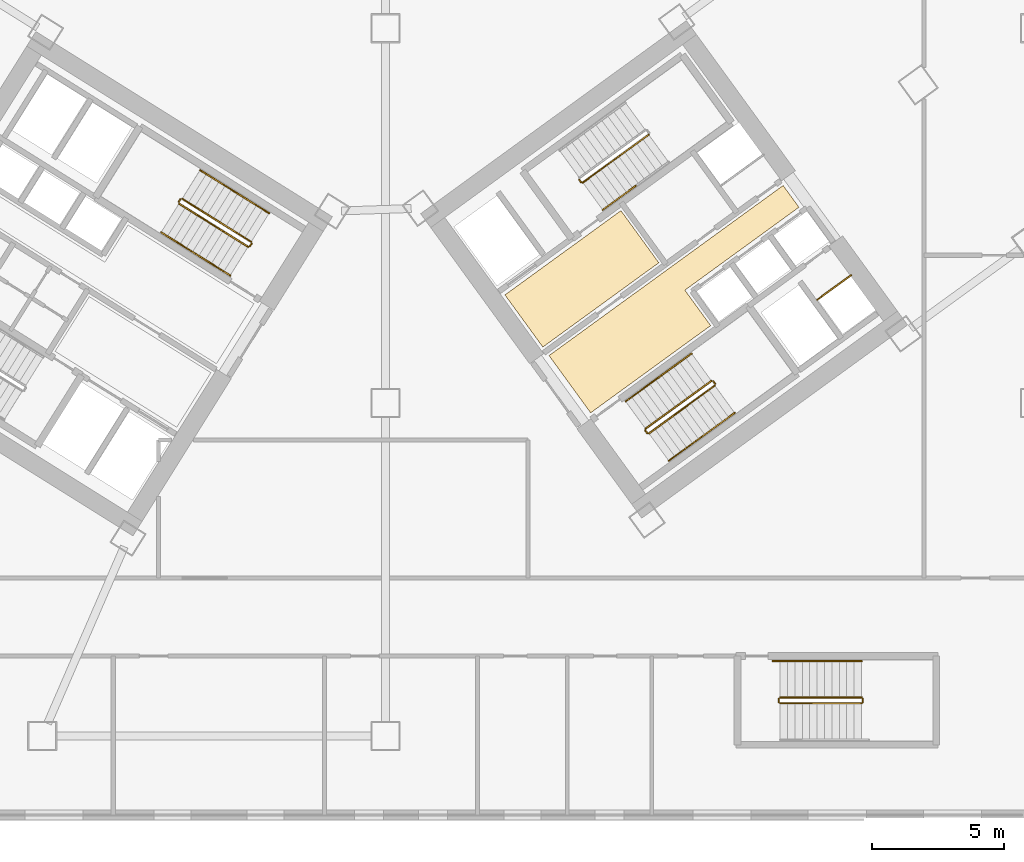
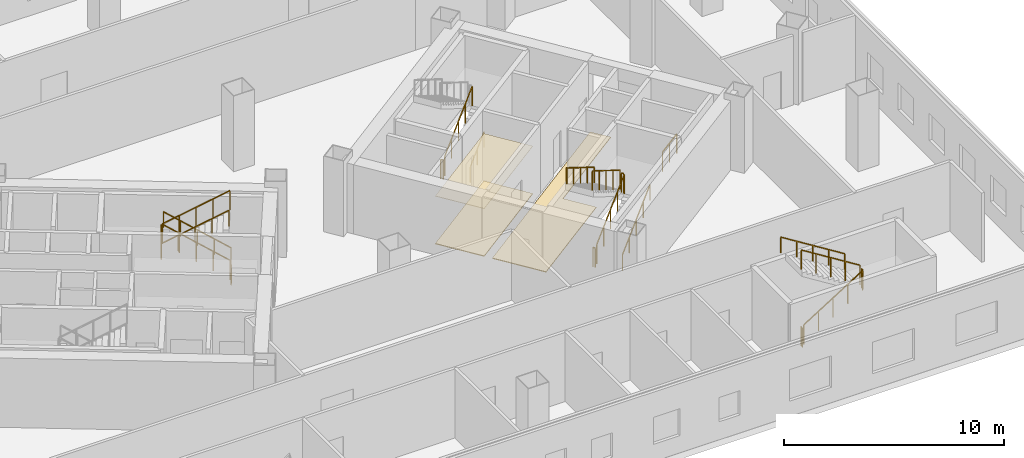
# One storey, part 20 of 22: 25 railings, 3 coverings.
"""IFC4 building model written with IfcOpenShell, lengths in metres."""

from ifc_helpers import new_model, si_unit, direction, frame, origin, origin_2d, place, context, subcontext, project, spatial, polyline, rectangle, outline, extrude, source, transform, mapped, material, layer, layer_set, type_object, element, save


model = new_model("IFC4")

# Units and contexts
model_context = context("Model", 3, precision=1e-05, world=origin(), true_north=direction((0.0, 1.0)))
body_context = subcontext(model_context, "Body", "Model", "MODEL_VIEW")
ifc_project = project(units=[si_unit("LENGTHUNIT", "METRE"), si_unit("AREAUNIT", "SQUARE_METRE"), si_unit("VOLUMEUNIT", "CUBIC_METRE"), si_unit("PLANEANGLEUNIT", "RADIAN"), si_unit("MASSUNIT", "GRAM", prefix="KILO")], contexts=[model_context])

# Site, building, storey
site_placement = place(None, origin())
site = spatial("IfcSite", under=ifc_project, at=site_placement, CompositionType="ELEMENT")
building_placement = place(site_placement, origin())
building = spatial("IfcBuilding", under=site, at=building_placement, Name="Tlacorven Tower", CompositionType="ELEMENT")
storey_placement = place(building_placement, frame((0.0, 0.0, 14.39990234375)))
storey = spatial("IfcBuildingStorey", under=building, at=storey_placement, Name="L03", CompositionType="ELEMENT", Elevation=14.39990234375)

# Coverings
ifc_material_1 = material(Name="Acoustic mineral-fibre ceiling")
ifc_layer_1 = layer(ifc_material_1, 0.02490234375)
ifc_layer_set_1 = layer_set([ifc_layer_1], Name="Acoustic mineral-fibre ceiling")
covering_type_1 = type_object("IfcCoveringType", Name="CV-CLG-ACST", PredefinedType="CEILING", material=ifc_layer_set_1)
covering_1_placement = place(storey_placement, frame((0.0, 0.0, 2.650146484375)))
element("IfcCovering", 1, at=covering_1_placement, inside=storey, type_object=covering_type_1, Name="L03 Acoustic Suspended Ceiling 3", PredefinedType="CEILING", context=body_context, shape_type="SweptSolid", body=[
    extrude(outline(polyline([(48.760498046875, 19.326171875), (47.326171875, 21.300048828125), (51.71923828125, 24.49169921875), (53.1533203125, 22.517822265625), (48.760498046875, 19.326171875)])), origin(), (0.0, 0.0, 1.0), 0.02490234375),
])
ifc_material_2 = material(Name="Terrazzo and ceramic flooring")
ifc_layer_2 = layer(ifc_material_2, 0.0400390625)
ifc_layer_set_2 = layer_set([ifc_layer_2], Name="Terrazzo and ceramic flooring")
covering_type_2 = type_object("IfcCoveringType", Name="CV-FLR-TERZ", PredefinedType="FLOORING", material=ifc_layer_set_2)
covering_2_placement = place(storey_placement, origin())
element("IfcCovering", 2, at=covering_2_placement, inside=storey, type_object=covering_type_2, Name="L03 Terrazzo Floor Finish 3", PredefinedType="FLOORING", context=body_context, shape_type="SweptSolid", body=[
    extrude(outline(polyline([(48.760498046875, 19.326171875), (47.326171875, 21.300048828125), (51.71923828125, 24.49169921875), (53.1533203125, 22.517822265625), (48.760498046875, 19.326171875)])), origin(), (0.0, 0.0, 1.0), 0.0400390625),
])
covering_3_placement = place(storey_placement, origin())
element("IfcCovering", 3, at=covering_3_placement, inside=storey, type_object=covering_type_2, Name="L03 Terrazzo Floor Finish 4", PredefinedType="FLOORING", context=body_context, shape_type="SweptSolid", body=[
    extrude(outline(polyline([(50.57080078125, 16.834228515625), (48.99560546875, 19.00244140625), (57.8623046875, 25.444580078125), (58.4619140625, 24.619384765625), (54.141845703125, 21.480712890625), (55.117431640625, 20.1376953125), (50.57080078125, 16.834228515625)])), origin(), (0.0, 0.0, 1.0), 0.0400390625),
])

# Railings
ifc_material_3 = material(Name="Aluminium and painted steel balustrade", Category="steel")
railing_type_1 = type_object("IfcRailingType", Name="RL-GRD-1100", PredefinedType="GUARDRAIL", material=ifc_material_3)
shared_shape_1 = source(origin(), body_context, "Body", "SweptSolid", [
    extrude(rectangle(XDim=0.048095703125, YDim=0.048095703125, at=origin_2d()), frame((0.0, 0.0, 1.076171875), z_axis=(0.809029975545, 0.58776738483, 0.0), x_axis=(-0.58776738483, 0.809029975545, 0.0)), (0.0, 0.0, 1.0), 1.580078125),
    extrude(rectangle(XDim=0.0419921875, YDim=0.0419921875, at=origin_2d()), origin(), (0.0, 0.0, 1.0), 1.052001953125),
    extrude(rectangle(XDim=0.0419921875, YDim=0.0419921875, at=origin_2d()), frame((0.63916015625, 0.46435546875, 0.0)), (0.0, 0.0, 1.0), 1.052001953125),
    extrude(rectangle(XDim=0.0419921875, YDim=0.0419921875, at=origin_2d()), frame((1.2783203125, 0.9287109375, 0.0)), (0.0, 0.0, 1.0), 1.052001953125),
])
railing_1_placement = place(storey_placement, frame((59.160888671875, 21.122314453125, 0.0)))
element("IfcRailing", 4, at=railing_1_placement, inside=storey, type_object=railing_type_1, Name="L03 Smoke Riser E Shaft Guard 1", PredefinedType="GUARDRAIL", context=body_context, shape_type="MappedRepresentation", body=[
    mapped(shared_shape_1, transform((0.0, 0.0, 0.0), scale=1.0)),
])
shared_shape_2 = source(origin(), body_context, "Body", "SweptSolid", [
    extrude(rectangle(XDim=0.048095703125, YDim=0.048095703125, at=origin_2d()), frame((0.0, 0.0, 1.076171875), z_axis=(-0.529084052582, -0.848569422795, 0.0), x_axis=(0.848569422795, -0.529084052582, 0.0)), (0.0, 0.0, 1.0), 0.119873046875),
    extrude(rectangle(XDim=0.0419921875, YDim=0.0419921875, at=origin_2d()), origin(), (0.0, 0.0, 1.0), 1.052001953125),
    extrude(rectangle(XDim=0.0419921875, YDim=0.0419921875, at=origin_2d()), frame((-0.0634765625, -0.101806640625, 0.0)), (0.0, 0.0, 1.0), 1.052001953125),
])
railing_2_placement = place(storey_placement, frame((35.03125, 24.92578125, 2.10009765625)))
element("IfcRailing", 5, at=railing_2_placement, inside=storey, type_object=railing_type_1, Name="L03 ST-W2 stair guard 2", PredefinedType="GUARDRAIL", context=body_context, shape_type="MappedRepresentation", body=[
    mapped(shared_shape_2, transform((0.0, 0.0, 0.0), scale=1.0)),
])
shared_shape_3 = source(origin(), body_context, "Body", "SweptSolid", [
    extrude(rectangle(XDim=0.048095703125, YDim=0.048095703125, at=origin_2d()), frame((0.0, 0.0, 1.076171875), z_axis=(-0.719121732904, 0.449367057811, 0.530031301547), x_axis=(-0.52992768316, -0.848042835369, 0.0)), (0.0, 0.0, 1.0), 3.6318359375),
    extrude(rectangle(XDim=0.0419921875, YDim=0.0419921875, at=origin_2d()), origin(), (0.0, 0.0, 1.0), 1.052001953125),
    extrude(rectangle(XDim=0.0419921875, YDim=0.0419921875, at=origin_2d()), frame((-0.65283203125, 0.407958984375, 0.481201171875)), (0.0, 0.0, 1.0), 1.052001953125),
    extrude(rectangle(XDim=0.0419921875, YDim=0.0419921875, at=origin_2d()), frame((-1.305908203125, 0.81591796875, 0.96240234375)), (0.0, 0.0, 1.0), 1.052001953125),
    extrude(rectangle(XDim=0.0419921875, YDim=0.0419921875, at=origin_2d()), frame((-1.958984375, 1.22412109375, 1.44384765625)), (0.0, 0.0, 1.0), 1.052001953125),
    extrude(rectangle(XDim=0.0419921875, YDim=0.0419921875, at=origin_2d()), frame((-2.61181640625, 1.632080078125, 1.925048828125)), (0.0, 0.0, 1.0), 1.052001953125),
])
railing_3_placement = place(storey_placement, frame((37.712158203125, 23.3095703125, 0.175048828125)))
element("IfcRailing", 6, at=railing_3_placement, inside=storey, type_object=railing_type_1, Name="L03 ST-W2 stair guard 1", PredefinedType="GUARDRAIL", context=body_context, shape_type="MappedRepresentation", body=[
    mapped(shared_shape_3, transform((0.0, 0.0, 0.0), scale=1.0)),
])
railing_type_2 = type_object("IfcRailingType", Name="RL-HND-0900", PredefinedType="HANDRAIL", material=ifc_material_3)
shared_shape_4 = source(origin(), body_context, "Body", "SweptSolid", [
    extrude(rectangle(XDim=0.048095703125, YDim=0.048095703125, at=origin_2d()), frame((0.0, 0.0, 0.8759765625), z_axis=(0.719125628956, -0.449436712956, 0.529966952579), x_axis=(0.529984689533, 0.848007210383, 0.0)), (0.0, 0.0, 1.0), 1.81591796875),
    extrude(rectangle(XDim=0.0419921875, YDim=0.0419921875, at=origin_2d()), origin(), (0.0, 0.0, 1.0), 0.851806640625),
    extrude(rectangle(XDim=0.0419921875, YDim=0.0419921875, at=origin_2d()), frame((0.65283203125, -0.408203125, 0.481201171875)), (0.0, 0.0, 1.0), 0.851806640625),
    extrude(rectangle(XDim=0.0419921875, YDim=0.0419921875, at=origin_2d()), frame((1.305908203125, -0.816162109375, 0.96240234375)), (0.0, 0.0, 1.0), 0.851806640625),
])
railing_4_placement = place(storey_placement, frame((34.305419921875, 23.669677734375, 2.275146484375)))
element("IfcRailing", 7, at=railing_4_placement, inside=storey, type_object=railing_type_2, Name="L03 ST-W2 stair handrail 3", PredefinedType="HANDRAIL", context=body_context, shape_type="MappedRepresentation", body=[
    mapped(shared_shape_4, transform((0.0, 0.0, 0.0), scale=1.0)),
])
shared_shape_5 = source(origin(), body_context, "Body", "SweptSolid", [
    extrude(rectangle(XDim=0.048095703125, YDim=0.048095703125, at=origin_2d()), frame((0.0, 0.0, 1.076171875), z_axis=(0.719154188762, -0.449345336188, 0.530005680754), x_axis=(0.52989206052, 0.848065094316, 0.0)), (0.0, 0.0, 1.0), 3.632080078125),
    extrude(rectangle(XDim=0.0419921875, YDim=0.0419921875, at=origin_2d()), origin(), (0.0, 0.0, 1.0), 1.052001953125),
    extrude(rectangle(XDim=0.0419921875, YDim=0.0419921875, at=origin_2d()), frame((0.653076171875, -0.407958984375, 0.481201171875)), (0.0, 0.0, 1.0), 1.052001953125),
    extrude(rectangle(XDim=0.0419921875, YDim=0.0419921875, at=origin_2d()), frame((1.30615234375, -0.81591796875, 0.96240234375)), (0.0, 0.0, 1.0), 1.052001953125),
    extrude(rectangle(XDim=0.0419921875, YDim=0.0419921875, at=origin_2d()), frame((1.958984375, -1.22412109375, 1.44384765625)), (0.0, 0.0, 1.0), 1.052001953125),
    extrude(rectangle(XDim=0.0419921875, YDim=0.0419921875, at=origin_2d()), frame((2.612060546875, -1.632080078125, 1.925048828125)), (0.0, 0.0, 1.0), 1.052001953125),
])
railing_5_placement = place(storey_placement, frame((34.983642578125, 24.755126953125, 2.275146484375)))
element("IfcRailing", 8, at=railing_5_placement, inside=storey, type_object=railing_type_1, Name="L03 ST-W2 stair guard 3", PredefinedType="GUARDRAIL", context=body_context, shape_type="MappedRepresentation", body=[
    mapped(shared_shape_5, transform((0.0, 0.0, 0.0), scale=1.0)),
])
shared_shape_6 = source(origin(), body_context, "Body", "SweptSolid", [
    extrude(rectangle(XDim=0.048095703125, YDim=0.048095703125, at=origin_2d()), frame((0.0, 0.0, 0.8759765625), z_axis=(-0.719139302584, 0.449361250194, 0.530012386933), x_axis=(-0.529913446429, -0.848051731496, 0.0)), (0.0, 0.0, 1.0), 1.816162109375),
    extrude(rectangle(XDim=0.0419921875, YDim=0.0419921875, at=origin_2d()), origin(), (0.0, 0.0, 1.0), 0.851806640625),
    extrude(rectangle(XDim=0.0419921875, YDim=0.0419921875, at=origin_2d()), frame((-0.653076171875, 0.408203125, 0.4814453125)), (0.0, 0.0, 1.0), 0.851806640625),
    extrude(rectangle(XDim=0.0419921875, YDim=0.0419921875, at=origin_2d()), frame((-1.30615234375, 0.816162109375, 0.962646484375)), (0.0, 0.0, 1.0), 0.851806640625),
])
railing_6_placement = place(storey_placement, frame((38.390625, 24.39501953125, 0.175048828125)))
element("IfcRailing", 9, at=railing_6_placement, inside=storey, type_object=railing_type_2, Name="L03 ST-W2 stair handrail 1", PredefinedType="HANDRAIL", context=body_context, shape_type="MappedRepresentation", body=[
    mapped(shared_shape_6, transform((0.0, 0.0, 0.0), scale=1.0)),
])
shared_shape_7 = source(origin(), body_context, "Body", "SweptSolid", [
    extrude(rectangle(XDim=0.048095703125, YDim=0.048095703125, at=origin_2d()), frame((0.0, 0.0, 1.076171875), z_axis=(-0.530546985787, -0.847655529016, 0.0), x_axis=(0.847655529016, -0.530546985787, 0.0)), (0.0, 0.0, 1.0), 0.1201171875),
    extrude(rectangle(XDim=0.0419921875, YDim=0.0419921875, at=origin_2d()), origin(), (0.0, 0.0, 1.0), 1.052001953125),
    extrude(rectangle(XDim=0.0419921875, YDim=0.0419921875, at=origin_2d()), frame((-0.063720703125, -0.101806640625, 0.0)), (0.0, 0.0, 1.0), 1.052001953125),
])
railing_7_placement = place(storey_placement, frame((37.728271484375, 23.24072265625, 0.0)))
element("IfcRailing", 10, at=railing_7_placement, inside=storey, type_object=railing_type_1, Name="L03 ST-W2 stair guard 4", PredefinedType="GUARDRAIL", context=body_context, shape_type="MappedRepresentation", body=[
    mapped(shared_shape_7, transform((0.0, 0.0, 0.0), scale=1.0)),
])
shared_shape_8 = source(origin(), body_context, "Body", "SweptSolid", [
    extrude(rectangle(XDim=0.048095703125, YDim=0.048095703125, at=origin_2d()), frame((0.0, 0.0, 0.8759765625), z_axis=(-0.719169077966, 0.449329418314, 0.529998972769), x_axis=(-0.529870669602, -0.848078459516, 0.0)), (0.0, 0.0, 1.0), 1.81591796875),
    extrude(rectangle(XDim=0.0419921875, YDim=0.0419921875, at=origin_2d()), origin(), (0.0, 0.0, 1.0), 0.851806640625),
    extrude(rectangle(XDim=0.0419921875, YDim=0.0419921875, at=origin_2d()), frame((-0.65283203125, 0.407958984375, 0.481201171875)), (0.0, 0.0, 1.0), 0.851806640625),
    extrude(rectangle(XDim=0.0419921875, YDim=0.0419921875, at=origin_2d()), frame((-1.305908203125, 0.81591796875, 0.96240234375)), (0.0, 0.0, 1.0), 0.851806640625),
])
railing_8_placement = place(storey_placement, frame((37.08447265625, 25.211181640625, 1.1376953125)))
element("IfcRailing", 11, at=railing_8_placement, inside=storey, type_object=railing_type_2, Name="L03 ST-W2 stair handrail 2", PredefinedType="HANDRAIL", context=body_context, shape_type="MappedRepresentation", body=[
    mapped(shared_shape_8, transform((0.0, 0.0, 0.0), scale=1.0)),
])
shared_shape_9 = source(origin(), body_context, "Body", "SweptSolid", [
    extrude(rectangle(XDim=0.048095703125, YDim=0.048095703125, at=origin_2d()), frame((0.0, 0.0, 0.8759765625), z_axis=(0.719139302584, -0.449361250194, 0.530012386933), x_axis=(0.529913446429, 0.848051731496, 0.0)), (0.0, 0.0, 1.0), 1.816162109375),
    extrude(rectangle(XDim=0.0419921875, YDim=0.0419921875, at=origin_2d()), origin(), (0.0, 0.0, 1.0), 0.851806640625),
    extrude(rectangle(XDim=0.0419921875, YDim=0.0419921875, at=origin_2d()), frame((0.653076171875, -0.408203125, 0.4814453125)), (0.0, 0.0, 1.0), 0.851806640625),
    extrude(rectangle(XDim=0.0419921875, YDim=0.0419921875, at=origin_2d()), frame((1.30615234375, -0.816162109375, 0.962646484375)), (0.0, 0.0, 1.0), 0.851806640625),
])
railing_9_placement = place(storey_placement, frame((35.611328125, 22.853515625, 3.237548828125)))
element("IfcRailing", 12, at=railing_9_placement, inside=storey, type_object=railing_type_2, Name="L03 ST-W2 stair handrail 4", PredefinedType="HANDRAIL", context=body_context, shape_type="MappedRepresentation", body=[
    mapped(shared_shape_9, transform((0.0, 0.0, 0.0), scale=1.0)),
])
shared_shape_10 = source(origin(), body_context, "Body", "SweptSolid", [
    extrude(rectangle(XDim=0.048095703125, YDim=0.048095703125, at=origin_2d()), frame((0.0, 0.0, 1.076171875), z_axis=(-0.587567097037, 0.809175448515, 0.0), x_axis=(-0.809175448515, -0.587567097037, 0.0)), (0.0, 0.0, 1.0), 0.1201171875),
    extrude(rectangle(XDim=0.0419921875, YDim=0.0419921875, at=origin_2d()), origin(), (0.0, 0.0, 1.0), 1.052001953125),
    extrude(rectangle(XDim=0.0419921875, YDim=0.0419921875, at=origin_2d()), frame((-0.070556640625, 0.09716796875, 0.0)), (0.0, 0.0, 1.0), 1.052001953125),
])
for number, where, name in (
    (13, (55.2841796875, 17.934814453125, 2.10009765625), "L03 ST-E2 stair guard 2"),
    (14, (52.71142578125, 16.065673828125, 0.0), "L03 ST-E2 stair guard 4"),
):
    element("IfcRailing", number, at=place(storey_placement, frame(where)), inside=storey, type_object=railing_type_1, Name=name, PredefinedType="GUARDRAIL", context=body_context, shape_type="MappedRepresentation", body=[
        mapped(shared_shape_10, transform((0.0, 0.0, 0.0), scale=1.0)),
    ])
shared_shape_11 = source(origin(), body_context, "Body", "SweptSolid", [
    extrude(rectangle(XDim=0.048095703125, YDim=0.048095703125, at=origin_2d()), frame((0.0, 0.0, 1.076171875), z_axis=(-0.587201422542, 0.809440849824, 0.0), x_axis=(-0.809440849824, -0.587201422542, 0.0)), (0.0, 0.0, 1.0), 0.11962890625),
    extrude(rectangle(XDim=0.0419921875, YDim=0.0419921875, at=origin_2d()), origin(), (0.0, 0.0, 1.0), 1.052001953125),
    extrude(rectangle(XDim=0.0419921875, YDim=0.0419921875, at=origin_2d()), frame((-0.0703125, 0.096923828125, 0.0)), (0.0, 0.0, 1.0), 1.052001953125),
])
railing_10_placement = place(storey_placement, frame((50.207275390625, 25.56884765625, 0.0)))
element("IfcRailing", 15, at=railing_10_placement, inside=storey, type_object=railing_type_1, Name="L03 ST-E1 stair guard 4", PredefinedType="GUARDRAIL", context=body_context, shape_type="MappedRepresentation", body=[
    mapped(shared_shape_11, transform((0.0, 0.0, 0.0), scale=1.0)),
])
shared_shape_12 = source(origin(), body_context, "Body", "SweptSolid", [
    extrude(rectangle(XDim=0.048095703125, YDim=0.048095703125, at=origin_2d()), frame((0.0, 0.0, 1.076171875), z_axis=(0.686036633924, 0.498428536209, 0.530021444101), x_axis=(-0.58778042511, 0.809020501506, 0.0)), (0.0, 0.0, 1.0), 3.632080078125),
    extrude(rectangle(XDim=0.0419921875, YDim=0.0419921875, at=origin_2d()), origin(), (0.0, 0.0, 1.0), 1.052001953125),
    extrude(rectangle(XDim=0.0419921875, YDim=0.0419921875, at=origin_2d()), frame((0.623046875, 0.45263671875, 0.481201171875)), (0.0, 0.0, 1.0), 1.052001953125),
    extrude(rectangle(XDim=0.0419921875, YDim=0.0419921875, at=origin_2d()), frame((1.245849609375, 0.9052734375, 0.96240234375)), (0.0, 0.0, 1.0), 1.052001953125),
    extrude(rectangle(XDim=0.0419921875, YDim=0.0419921875, at=origin_2d()), frame((1.86865234375, 1.357666015625, 1.44384765625)), (0.0, 0.0, 1.0), 1.052001953125),
    extrude(rectangle(XDim=0.0419921875, YDim=0.0419921875, at=origin_2d()), frame((2.49169921875, 1.810302734375, 1.925048828125)), (0.0, 0.0, 1.0), 1.052001953125),
])
for number, where, name in (
    (16, (50.27734375, 25.557861328125, 0.175048828125), "L03 ST-E1 stair guard 1"),
    (17, (52.78125, 16.0546875, 0.175048828125), "L03 ST-E2 stair guard 1"),
):
    element("IfcRailing", number, at=place(storey_placement, frame(where)), inside=storey, type_object=railing_type_1, Name=name, PredefinedType="GUARDRAIL", context=body_context, shape_type="MappedRepresentation", body=[
        mapped(shared_shape_12, transform((0.0, 0.0, 0.0), scale=1.0)),
    ])
shared_shape_13 = source(origin(), body_context, "Body", "SweptSolid", [
    extrude(rectangle(XDim=0.048095703125, YDim=0.048095703125, at=origin_2d()), frame((0.0, 0.0, 0.8759765625), z_axis=(0.686038087725, 0.498496811539, 0.52995534819), x_axis=(-0.587832304237, 0.808982807045, 0.0)), (0.0, 0.0, 1.0), 1.81591796875),
    extrude(rectangle(XDim=0.0419921875, YDim=0.0419921875, at=origin_2d()), origin(), (0.0, 0.0, 1.0), 0.851806640625),
    extrude(rectangle(XDim=0.0419921875, YDim=0.0419921875, at=origin_2d()), frame((0.623046875, 0.45263671875, 0.481201171875)), (0.0, 0.0, 1.0), 0.851806640625),
    extrude(rectangle(XDim=0.0419921875, YDim=0.0419921875, at=origin_2d()), frame((1.245849609375, 0.9052734375, 0.96240234375)), (0.0, 0.0, 1.0), 0.851806640625),
])
railing_11_placement = place(storey_placement, frame((54.779541015625, 15.92431640625, 1.1376953125)))
element("IfcRailing", 18, at=railing_11_placement, inside=storey, type_object=railing_type_2, Name="L03 ST-E2 stair handrail 2", PredefinedType="HANDRAIL", context=body_context, shape_type="MappedRepresentation", body=[
    mapped(shared_shape_13, transform((0.0, 0.0, 0.0), scale=1.0)),
])
shared_shape_14 = source(origin(), body_context, "Body", "SweptSolid", [
    extrude(rectangle(XDim=0.048095703125, YDim=0.048095703125, at=origin_2d()), frame((0.0, 0.0, 0.8759765625), z_axis=(-0.686038087725, -0.498496811539, 0.52995534819), x_axis=(0.587832304237, -0.808982807045, 0.0)), (0.0, 0.0, 1.0), 1.81591796875),
    extrude(rectangle(XDim=0.0419921875, YDim=0.0419921875, at=origin_2d()), origin(), (0.0, 0.0, 1.0), 0.851806640625),
    extrude(rectangle(XDim=0.0419921875, YDim=0.0419921875, at=origin_2d()), frame((-0.623046875, -0.45263671875, 0.481201171875)), (0.0, 0.0, 1.0), 0.851806640625),
    extrude(rectangle(XDim=0.0419921875, YDim=0.0419921875, at=origin_2d()), frame((-1.245849609375, -0.9052734375, 0.96240234375)), (0.0, 0.0, 1.0), 0.851806640625),
])
railing_12_placement = place(storey_placement, frame((54.391357421875, 19.07861328125, 2.275146484375)))
element("IfcRailing", 19, at=railing_12_placement, inside=storey, type_object=railing_type_2, Name="L03 ST-E2 stair handrail 3", PredefinedType="HANDRAIL", context=body_context, shape_type="MappedRepresentation", body=[
    mapped(shared_shape_14, transform((0.0, 0.0, 0.0), scale=1.0)),
])
shared_shape_15 = source(origin(), body_context, "Body", "SweptSolid", [
    extrude(rectangle(XDim=0.048095703125, YDim=0.048095703125, at=origin_2d()), frame((0.0, 0.0, 0.8759765625), z_axis=(0.685989209117, 0.498461294808, 0.530052018724), x_axis=(-0.587832304237, 0.808982807045, 0.0)), (0.0, 0.0, 1.0), 1.816162109375),
    extrude(rectangle(XDim=0.0419921875, YDim=0.0419921875, at=origin_2d()), origin(), (0.0, 0.0, 1.0), 0.851806640625),
    extrude(rectangle(XDim=0.0419921875, YDim=0.0419921875, at=origin_2d()), frame((0.623046875, 0.45263671875, 0.4814453125)), (0.0, 0.0, 1.0), 0.851806640625),
    extrude(rectangle(XDim=0.0419921875, YDim=0.0419921875, at=origin_2d()), frame((1.245849609375, 0.9052734375, 0.962646484375)), (0.0, 0.0, 1.0), 0.851806640625),
])
for number, where, name in (
    (20, (51.029541015625, 24.522216796875, 0.175048828125), "L03 ST-E1 stair handrail 1"),
    (21, (53.53369140625, 15.01904296875, 0.175048828125), "L03 ST-E2 stair handrail 1"),
):
    element("IfcRailing", number, at=place(storey_placement, frame(where)), inside=storey, type_object=railing_type_2, Name=name, PredefinedType="HANDRAIL", context=body_context, shape_type="MappedRepresentation", body=[
        mapped(shared_shape_15, transform((0.0, 0.0, 0.0), scale=1.0)),
    ])
shared_shape_16 = source(origin(), body_context, "Body", "SweptSolid", [
    extrude(rectangle(XDim=0.048095703125, YDim=0.048095703125, at=origin_2d()), frame((0.0, 0.0, 0.8759765625), z_axis=(-0.685989209117, -0.498461294808, 0.530052018724), x_axis=(0.587832304237, -0.808982807045, 0.0)), (0.0, 0.0, 1.0), 1.816162109375),
    extrude(rectangle(XDim=0.0419921875, YDim=0.0419921875, at=origin_2d()), origin(), (0.0, 0.0, 1.0), 0.851806640625),
    extrude(rectangle(XDim=0.0419921875, YDim=0.0419921875, at=origin_2d()), frame((-0.623046875, -0.45263671875, 0.4814453125)), (0.0, 0.0, 1.0), 0.851806640625),
    extrude(rectangle(XDim=0.0419921875, YDim=0.0419921875, at=origin_2d()), frame((-1.245849609375, -0.9052734375, 0.962646484375)), (0.0, 0.0, 1.0), 0.851806640625),
])
railing_13_placement = place(storey_placement, frame((53.1455078125, 18.17333984375, 3.237548828125)))
element("IfcRailing", 22, at=railing_13_placement, inside=storey, type_object=railing_type_2, Name="L03 ST-E2 stair handrail 4", PredefinedType="HANDRAIL", context=body_context, shape_type="MappedRepresentation", body=[
    mapped(shared_shape_16, transform((0.0, 0.0, 0.0), scale=1.0)),
])
shared_shape_17 = source(origin(), body_context, "Body", "SweptSolid", [
    extrude(rectangle(XDim=0.048095703125, YDim=0.048095703125, at=origin_2d()), frame((0.0, 0.0, 1.076171875), z_axis=(-0.686072214067, -0.498405551808, 0.529997002833), x_axis=(0.587742732335, -0.809047885225, 0.0)), (0.0, 0.0, 1.0), 3.632080078125),
    extrude(rectangle(XDim=0.0419921875, YDim=0.0419921875, at=origin_2d()), origin(), (0.0, 0.0, 1.0), 1.052001953125),
    extrude(rectangle(XDim=0.0419921875, YDim=0.0419921875, at=origin_2d()), frame((-0.623046875, -0.45263671875, 0.481201171875)), (0.0, 0.0, 1.0), 1.052001953125),
    extrude(rectangle(XDim=0.0419921875, YDim=0.0419921875, at=origin_2d()), frame((-1.24609375, -0.9052734375, 0.96240234375)), (0.0, 0.0, 1.0), 1.052001953125),
    extrude(rectangle(XDim=0.0419921875, YDim=0.0419921875, at=origin_2d()), frame((-1.868896484375, -1.357666015625, 1.44384765625)), (0.0, 0.0, 1.0), 1.052001953125),
    extrude(rectangle(XDim=0.0419921875, YDim=0.0419921875, at=origin_2d()), frame((-2.491943359375, -1.810302734375, 1.925048828125)), (0.0, 0.0, 1.0), 1.052001953125),
])
railing_14_placement = place(storey_placement, frame((55.143798828125, 18.04296875, 2.275146484375)))
element("IfcRailing", 23, at=railing_14_placement, inside=storey, type_object=railing_type_1, Name="L03 ST-E2 stair guard 3", PredefinedType="GUARDRAIL", context=body_context, shape_type="MappedRepresentation", body=[
    mapped(shared_shape_17, transform((0.0, 0.0, 0.0), scale=1.0)),
])
shared_shape_18 = source(origin(), body_context, "Body", "SweptSolid", [
    extrude(rectangle(XDim=0.048095703125, YDim=0.048095703125, at=origin_2d()), frame((0.0, 0.0, 1.076171875), z_axis=(0.0, 1.0, 0.0), x_axis=(-1.0, 0.0, 0.0)), (0.0, 0.0, 1.0), 0.1201171875),
    extrude(rectangle(XDim=0.0419921875, YDim=0.0419921875, at=origin_2d()), origin(), (0.0, 0.0, 1.0), 1.052001953125),
    extrude(rectangle(XDim=0.0419921875, YDim=0.0419921875, at=origin_2d()), frame((0.0, 0.1201171875, 0.0)), (0.0, 0.0, 1.0), 1.052001953125),
])
for number, where, name in (
    (24, (60.8798828125, 5.8798828125, 2.10009765625), "L03 ST-P2 stair guard 2"),
    (25, (57.699951171875, 5.8798828125, 0.0), "L03 ST-P2 stair guard 4"),
):
    element("IfcRailing", number, at=place(storey_placement, frame(where)), inside=storey, type_object=railing_type_1, Name=name, PredefinedType="GUARDRAIL", context=body_context, shape_type="MappedRepresentation", body=[
        mapped(shared_shape_18, transform((0.0, 0.0, 0.0), scale=1.0)),
    ])
shared_shape_19 = source(origin(), body_context, "Body", "SweptSolid", [
    extrude(rectangle(XDim=0.048095703125, YDim=0.048095703125, at=origin_2d()), frame((0.0, 0.0, 1.076171875), z_axis=(0.847998304005, 0.0, 0.529998940003), x_axis=(0.0, 1.0, 0.0)), (0.0, 0.0, 1.0), 3.632080078125),
    extrude(rectangle(XDim=0.0419921875, YDim=0.0419921875, at=origin_2d()), origin(), (0.0, 0.0, 1.0), 1.052001953125),
    extrude(rectangle(XDim=0.0419921875, YDim=0.0419921875, at=origin_2d()), frame((0.77001953125, 0.0, 0.481201171875)), (0.0, 0.0, 1.0), 1.052001953125),
    extrude(rectangle(XDim=0.0419921875, YDim=0.0419921875, at=origin_2d()), frame((1.5400390625, 0.0, 0.96240234375)), (0.0, 0.0, 1.0), 1.052001953125),
    extrude(rectangle(XDim=0.0419921875, YDim=0.0419921875, at=origin_2d()), frame((2.31005859375, 0.0, 1.44384765625)), (0.0, 0.0, 1.0), 1.052001953125),
    extrude(rectangle(XDim=0.0419921875, YDim=0.0419921875, at=origin_2d()), frame((3.080078125, 0.0, 1.925048828125)), (0.0, 0.0, 1.0), 1.052001953125),
])
railing_15_placement = place(storey_placement, frame((57.75, 5.830078125, 0.175048828125)))
element("IfcRailing", 26, at=railing_15_placement, inside=storey, type_object=railing_type_1, Name="L03 ST-P2 stair guard 1", PredefinedType="GUARDRAIL", context=body_context, shape_type="MappedRepresentation", body=[
    mapped(shared_shape_19, transform((0.0, 0.0, 0.0), scale=1.0)),
])
shared_shape_20 = source(origin(), body_context, "Body", "SweptSolid", [
    extrude(rectangle(XDim=0.048095703125, YDim=0.048095703125, at=origin_2d()), frame((0.0, 0.0, 0.8759765625), z_axis=(-0.848022534174, 0.0, 0.529960169762), x_axis=(0.0, -1.0, 0.0)), (0.0, 0.0, 1.0), 3.96240234375),
    extrude(rectangle(XDim=0.0419921875, YDim=0.0419921875, at=origin_2d()), origin(), (0.0, 0.0, 1.0), 0.851806640625),
    extrude(rectangle(XDim=0.0419921875, YDim=0.0419921875, at=origin_2d()), frame((-0.840087890625, 0.0, 0.52490234375)), (0.0, 0.0, 1.0), 0.851806640625),
    extrude(rectangle(XDim=0.0419921875, YDim=0.0419921875, at=origin_2d()), frame((-1.68017578125, 0.0, 1.0498046875)), (0.0, 0.0, 1.0), 0.851806640625),
    extrude(rectangle(XDim=0.0419921875, YDim=0.0419921875, at=origin_2d()), frame((-2.52001953125, 0.0, 1.574951171875)), (0.0, 0.0, 1.0), 0.851806640625),
    extrude(rectangle(XDim=0.0419921875, YDim=0.0419921875, at=origin_2d()), frame((-3.360107421875, 0.0, 2.099853515625)), (0.0, 0.0, 1.0), 0.851806640625),
])
railing_16_placement = place(storey_placement, frame((60.830078125, 7.429931640625, 2.275146484375)))
element("IfcRailing", 27, at=railing_16_placement, inside=storey, type_object=railing_type_2, Name="L03 ST-P2 stair handrail 2", PredefinedType="HANDRAIL", context=body_context, shape_type="MappedRepresentation", body=[
    mapped(shared_shape_20, transform((0.0, 0.0, 0.0), scale=1.0)),
])
shared_shape_21 = source(origin(), body_context, "Body", "SweptSolid", [
    extrude(rectangle(XDim=0.048095703125, YDim=0.048095703125, at=origin_2d()), frame((0.0, 0.0, 1.076171875), z_axis=(-0.847998304005, 0.0, 0.529998940003), x_axis=(0.0, -1.0, 0.0)), (0.0, 0.0, 1.0), 3.632080078125),
    extrude(rectangle(XDim=0.0419921875, YDim=0.0419921875, at=origin_2d()), origin(), (0.0, 0.0, 1.0), 1.052001953125),
    extrude(rectangle(XDim=0.0419921875, YDim=0.0419921875, at=origin_2d()), frame((-0.77001953125, 0.0, 0.481201171875)), (0.0, 0.0, 1.0), 1.052001953125),
    extrude(rectangle(XDim=0.0419921875, YDim=0.0419921875, at=origin_2d()), frame((-1.5400390625, 0.0, 0.96240234375)), (0.0, 0.0, 1.0), 1.052001953125),
    extrude(rectangle(XDim=0.0419921875, YDim=0.0419921875, at=origin_2d()), frame((-2.31005859375, 0.0, 1.44384765625)), (0.0, 0.0, 1.0), 1.052001953125),
    extrude(rectangle(XDim=0.0419921875, YDim=0.0419921875, at=origin_2d()), frame((-3.080078125, 0.0, 1.925048828125)), (0.0, 0.0, 1.0), 1.052001953125),
])
railing_17_placement = place(storey_placement, frame((60.830078125, 6.050048828125, 2.275146484375)))
element("IfcRailing", 28, at=railing_17_placement, inside=storey, type_object=railing_type_1, Name="L03 ST-P2 stair guard 3", PredefinedType="GUARDRAIL", context=body_context, shape_type="MappedRepresentation", body=[
    mapped(shared_shape_21, transform((0.0, 0.0, 0.0), scale=1.0)),
])

save(model, "model.ifc")
